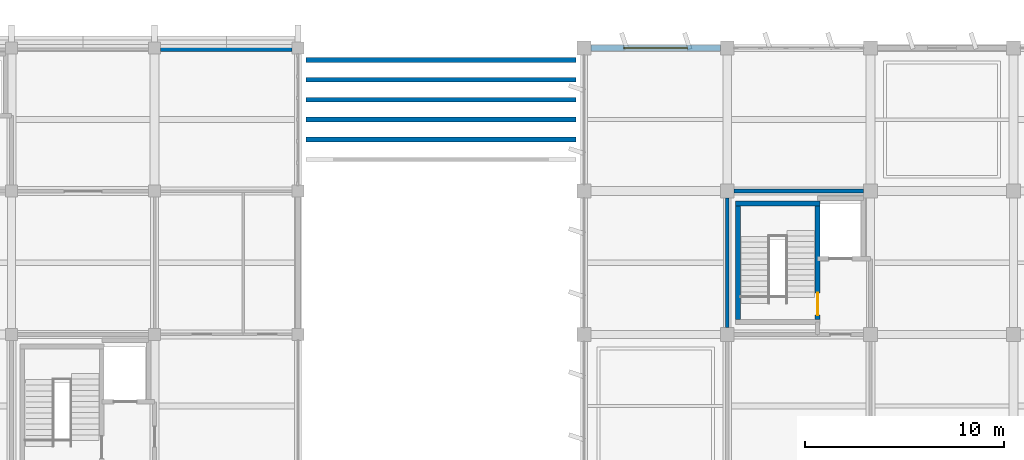
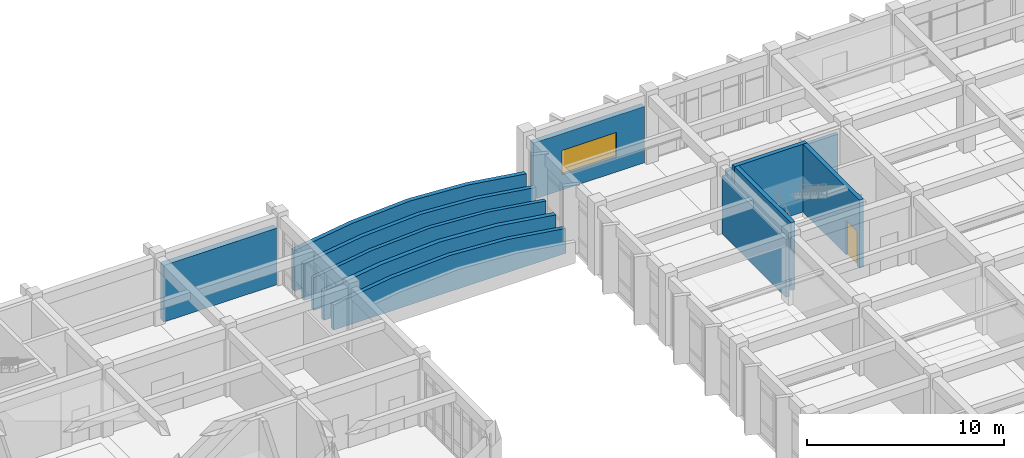
# One storey, part 68 of 81: 12 walls, 1 door, 1 window, 2 openings.
"""IFC4 building model written with IfcOpenShell, lengths in metres."""

from ifc_helpers import new_model, si_unit, direction, frame, frame_2d, origin, place, context, subcontext, project, spatial, polyline, rectangle, outline, extrude, material, layer, layer_set, type_object, element, fill, save


model = new_model("IFC4")

# Units and contexts
model_context = context("Model", 3, precision=1e-05, world=origin(), true_north=direction((0.0, 1.0)))
body_context = subcontext(model_context, "Body", "Model", "MODEL_VIEW")
ifc_project = project(units=[si_unit("LENGTHUNIT", "METRE"), si_unit("AREAUNIT", "SQUARE_METRE"), si_unit("VOLUMEUNIT", "CUBIC_METRE"), si_unit("PLANEANGLEUNIT", "RADIAN"), si_unit("MASSUNIT", "GRAM", prefix="KILO")], contexts=[model_context])

# Site, building, storey
site_placement = place(None, origin())
site = spatial("IfcSite", under=ifc_project, at=site_placement, CompositionType="ELEMENT")
building_placement = place(site_placement, origin())
building = spatial("IfcBuilding", under=site, at=building_placement, Name="Kavelor Marine Aquarium", CompositionType="ELEMENT")
storey_placement = place(building_placement, frame((0.0, 0.0, 4.679931640625)))
storey = spatial("IfcBuildingStorey", under=building, at=storey_placement, Name="L01", CompositionType="ELEMENT", Elevation=4.679931640625)

# Walls
ifc_material_1 = material(Name="Concrete C45/55", Category="concrete")
ifc_layer_1 = layer(ifc_material_1, 0.25)
ifc_layer_set_1 = layer_set([ifc_layer_1], Name="WL-BD1")
wall_type_1 = type_object("IfcWallType", Name="WL-BD1", PredefinedType="PARAPET", material=ifc_layer_set_1)
wall_1_placement = place(storey_placement, frame((104.39990234375, 110.199951171875, -0.300048828125), z_axis=(0.0, 0.0, 1.0), x_axis=(1.0, 0.0, 0.0)))
element("IfcWall", 1, at=wall_1_placement, inside=storey, type_object=wall_type_1, Name="portal:arch:north:1", PredefinedType="PARAPET", context=body_context, shape_type="SweptSolid", body=[
    extrude(outline(polyline([(0.0, 0.0), (13.60009765625, 0.0), (13.60009765625, 2.5), (10.199951171875, 3.0), (6.800048828125, 3.2001953125), (3.39990234375, 3.0), (0.0, 2.5), (0.0, 0.0)])), frame((0.0, 0.125, 0.0), z_axis=(0.0, -1.0, 0.0), x_axis=(1.0, 0.0, 0.0)), (0.0, 0.0, 1.0), 0.25),
])
wall_2_placement = place(storey_placement, frame((104.39990234375, 107.199951171875, -0.300048828125), z_axis=(0.0, 0.0, 1.0), x_axis=(1.0, 0.0, 0.0)))
element("IfcWall", 2, at=wall_2_placement, inside=storey, type_object=wall_type_1, Name="portal:arch:north:4", PredefinedType="PARAPET", context=body_context, shape_type="SweptSolid", body=[
    extrude(outline(polyline([(0.0, 0.0), (13.60009765625, 0.0), (13.60009765625, 1.780029296875), (10.199951171875, 2.280029296875), (6.800048828125, 2.480224609375), (3.39990234375, 2.280029296875), (0.0, 1.780029296875), (0.0, 0.0)])), frame((0.0, 0.125, 0.0), z_axis=(0.0, -1.0, 0.0), x_axis=(1.0, 0.0, 0.0)), (0.0, 0.0, 1.0), 0.25),
])
ifc_material_2 = material(Name="Concrete C45/55", Category="concrete")
ifc_layer_2 = layer(ifc_material_2, 0.22998046875)
ifc_layer_set_2 = layer_set([ifc_layer_2], Name="WL-BD2")
wall_type_2 = type_object("IfcWallType", Name="WL-BD2", PredefinedType="PARAPET", material=ifc_layer_set_2)
wall_3_placement = place(storey_placement, frame((104.39990234375, 109.199951171875, -0.300048828125), z_axis=(0.0, 0.0, 1.0), x_axis=(1.0, 0.0, 0.0)))
element("IfcWall", 3, at=wall_3_placement, inside=storey, type_object=wall_type_2, Name="portal:arch:north:2", PredefinedType="PARAPET", context=body_context, shape_type="SweptSolid", body=[
    extrude(outline(polyline([(0.0, 0.0), (13.60009765625, 0.0), (13.60009765625, 2.260009765625), (10.199951171875, 2.760009765625), (6.800048828125, 2.960205078125), (3.39990234375, 2.760009765625), (0.0, 2.260009765625), (0.0, 0.0)])), frame((0.0, 0.114990234375, 0.0), z_axis=(0.0, -1.0, 0.0), x_axis=(1.0, 0.0, 0.0)), (0.0, 0.0, 1.0), 0.22998046875),
])
wall_4_placement = place(storey_placement, frame((104.39990234375, 106.199951171875, -0.300048828125), z_axis=(0.0, 0.0, 1.0), x_axis=(1.0, 0.0, 0.0)))
element("IfcWall", 4, at=wall_4_placement, inside=storey, type_object=wall_type_2, Name="portal:arch:north:5", PredefinedType="PARAPET", context=body_context, shape_type="SweptSolid", body=[
    extrude(outline(polyline([(0.0, 0.0), (13.60009765625, 0.0), (13.60009765625, 1.5400390625), (10.199951171875, 2.0400390625), (6.800048828125, 2.240234375), (3.39990234375, 2.0400390625), (0.0, 1.5400390625), (0.0, 0.0)])), frame((0.0, 0.114990234375, 0.0), z_axis=(0.0, -1.0, 0.0), x_axis=(1.0, 0.0, 0.0)), (0.0, 0.0, 1.0), 0.22998046875),
])
ifc_material_3 = material(Name="Concrete C45/55", Category="concrete")
ifc_layer_3 = layer(ifc_material_3, 0.2099609375)
ifc_layer_set_3 = layer_set([ifc_layer_3], Name="WL-BD3")
wall_type_3 = type_object("IfcWallType", Name="WL-BD3", PredefinedType="PARAPET", material=ifc_layer_set_3)
wall_5_placement = place(storey_placement, frame((104.39990234375, 108.199951171875, -0.300048828125), z_axis=(0.0, 0.0, 1.0), x_axis=(1.0, 0.0, 0.0)))
element("IfcWall", 5, at=wall_5_placement, inside=storey, type_object=wall_type_3, Name="portal:arch:north:3", PredefinedType="PARAPET", context=body_context, shape_type="SweptSolid", body=[
    extrude(outline(polyline([(0.0, 0.0), (13.60009765625, 0.0), (13.60009765625, 2.02001953125), (10.199951171875, 2.52001953125), (6.800048828125, 2.72021484375), (3.39990234375, 2.52001953125), (0.0, 2.02001953125), (0.0, 0.0)])), frame((0.0, 0.10498046875, 0.0), z_axis=(0.0, -1.0, 0.0), x_axis=(1.0, 0.0, 0.0)), (0.0, 0.0, 1.0), 0.2099609375),
])

# Wall, opening, window
ifc_material_4 = material(Name="Concrete C40/50", Category="concrete")
ifc_layer_4 = layer(ifc_material_4, 0.300048828125)
ifc_layer_set_4 = layer_set([ifc_layer_4], Name="WL-EX3")
wall_type_4 = type_object("IfcWallType", Name="WL-EX3", PredefinedType="STANDARD", material=ifc_layer_set_4)
wall_6_placement = place(storey_placement, frame((118.7451171875, 110.800048828125, 0.0), z_axis=(0.0, 0.0, 1.0), x_axis=(1.0, 0.0, 0.0)))
wall_6 = element("IfcWall", 6, at=wall_6_placement, inside=storey, type_object=wall_type_4, Name="ew:x:L01:16_15", PredefinedType="STANDARD", context=body_context, shape_type="SweptSolid", body=[
    extrude(rectangle(XDim=6.509765625, YDim=0.300048828125, at=frame_2d((3.2548828125, 0.0))), origin(), (0.0, 0.0, 1.0), 3.489990234375),
])
opening_1_placement = place(wall_6_placement, frame((1.655029296875, 0.0, 0.949951171875)))
opening_1 = element("IfcOpeningElement", 7, at=opening_1_placement, cuts=wall_6, Name="Opening W35", PredefinedType="OPENING", context=body_context, shape_type="SweptSolid", body=[
    extrude(rectangle(XDim=3.199951171875, YDim=1.5, at=frame_2d((1.60009765625, 0.75))), frame((0.0, 0.159912109375, 0.0), z_axis=(0.0, -1.0, 0.0), x_axis=(1.0, 0.0, 0.0)), (0.0, 0.0, 1.0), 0.320049),
])
ifc_material_5 = material(Name="Anodised Aluminium Frame with Low-E Double Glazing", Category="aluminium")
window_type = type_object("IfcWindowType", Name="WIN-W35", PartitioningType="DOUBLE_PANEL_VERTICAL", PredefinedType="WINDOW", material=ifc_material_5)
window_placement = place(opening_1_placement, origin())
window = element("IfcWindow", 8, at=window_placement, inside=storey, type_object=window_type, Name="win:x:L01:16_15", OverallHeight=1.5, OverallWidth=3.199951171875, PartitioningType="SINGLE_PANEL", PredefinedType="WINDOW", context=body_context, shape_type="SweptSolid", body=[
    extrude(rectangle(XDim=3.199951171875, YDim=1.5, at=frame_2d((1.60009765625, 0.75))), frame((0.0, 0.030029296875, 0.0), z_axis=(0.0, -1.0, 0.0), x_axis=(1.0, 0.0, 0.0)), (0.0, 0.0, 1.0), 0.06005859375),
])
fill(opening_1, window)

# Walls
ifc_material_6 = material(Name="Concrete C45/55", Category="concrete")
ifc_layer_5 = layer(ifc_material_6, 0.340087890625)
ifc_layer_set_5 = layer_set([ifc_layer_5], Name="WL-EX6")
wall_type_5 = type_object("IfcWallType", Name="WL-EX6", PredefinedType="STANDARD", material=ifc_layer_set_5)
wall_7_placement = place(storey_placement, frame((97.094970703125, 110.800048828125, 0.0), z_axis=(0.0, 0.0, 1.0), x_axis=(1.0, 0.0, 0.0)))
element("IfcWall", 9, at=wall_7_placement, inside=storey, type_object=wall_type_5, Name="ew:x:L01:13_15", PredefinedType="STANDARD", context=body_context, shape_type="SweptSolid", body=[
    extrude(rectangle(XDim=6.610107421875, YDim=0.340087890625, at=frame_2d((3.30517578125, 0.0))), origin(), (0.0, 0.0, 1.0), 3.510009765625),
])
ifc_material_7 = material(Name="Concrete Blockwork Partition", Category="masonry")
ifc_layer_6 = layer(ifc_material_7, 0.199951171875)
ifc_layer_set_6 = layer_set([ifc_layer_6], Name="WL-PT1")
wall_type_6 = type_object("IfcWallType", Name="WL-PT1", PredefinedType="PARTITIONING", material=ifc_layer_set_6)
for number, where, z_axis, x_axis, name in (
    (10, (125.60009765625, 96.75, 0.0), (0.0, 0.0, 1.0), (0.0, 1.0, 0.0), "pt:lob:C10:L01:w"),
    (11, (125.949951171875, 103.60009765625, 0.0), (0.0, 0.0, 1.0), (1.0, 0.0, 0.0), "pt:lob:C10:L01:n_full"),
):
    element("IfcWall", number, at=place(storey_placement, frame(where, z_axis=z_axis, x_axis=x_axis)), inside=storey, type_object=wall_type_6, Name=name, PredefinedType="PARTITIONING", context=body_context, shape_type="SweptSolid", body=[
        extrude(rectangle(XDim=6.5, YDim=0.199951171875, at=frame_2d((3.25, 0.0))), origin(), (0.0, 0.0, 1.0), 3.590087890625),
    ])
ifc_material_8 = material(Name="Concrete C40/50", Category="concrete")
ifc_layer_7 = layer(ifc_material_8, 0.35009765625)
ifc_layer_set_7 = layer_set([ifc_layer_7], Name="WL-SW2")
wall_type_7 = type_object("IfcWallType", Name="WL-SW2", PredefinedType="SHEAR", material=ifc_layer_set_7)
wall_8_placement = place(storey_placement, frame((126.02001953125, 102.97998046875, 0.0), z_axis=(0.0, 0.0, 1.0), x_axis=(1.0, 0.0, 0.0)))
element("IfcWall", 12, at=wall_8_placement, inside=storey, type_object=wall_type_7, Name="cw_st:n:C10:L01", PredefinedType="SHEAR", context=body_context, shape_type="SweptSolid", body=[
    extrude(rectangle(XDim=4.239990234375, YDim=0.239990234375, at=frame_2d((2.1201171875, 0.0))), origin(), (0.0, 0.0, 1.0), 4.199951171875),
])
wall_9_placement = place(storey_placement, frame((126.139892578125, 97.139892578125, 0.0), z_axis=(0.0, 0.0, 1.0), x_axis=(0.0, 1.0, 0.0)))
element("IfcWall", 13, at=wall_9_placement, inside=storey, type_object=wall_type_7, Name="cw_st:w:C10:L01", PredefinedType="SHEAR", context=body_context, shape_type="SweptSolid", body=[
    extrude(rectangle(XDim=5.72021484375, YDim=0.239990234375, at=frame_2d((2.860107421875, 0.0))), origin(), (0.0, 0.0, 1.0), 4.199951171875),
])

# Wall, opening, door
wall_10_placement = place(storey_placement, frame((130.139892578125, 97.139892578125, 0.0), z_axis=(0.0, 0.0, 1.0), x_axis=(0.0, 1.0, 0.0)))
wall_10 = element("IfcWall", 14, at=wall_10_placement, inside=storey, type_object=wall_type_7, Name="cw_st:e:C10:L01", PredefinedType="SHEAR", context=body_context, shape_type="SweptSolid", body=[
    extrude(rectangle(XDim=5.72021484375, YDim=0.239990234375, at=frame_2d((2.860107421875, 0.0))), origin(), (0.0, 0.0, 1.0), 4.199951171875),
])
opening_2_placement = place(wall_10_placement, frame((0.219970703125, 0.0, 0.0)))
opening_2 = element("IfcOpeningElement", 15, at=opening_2_placement, cuts=wall_10, Name="Opening FD1", PredefinedType="OPENING", context=body_context, shape_type="SweptSolid", body=[
    extrude(rectangle(XDim=1.1201171875, YDim=2.14990234375, at=frame_2d((0.56005859375, 1.074951171875))), frame((0.0, 0.1298828125, 0.0), z_axis=(0.0, -1.0, 0.0), x_axis=(1.0, 0.0, 0.0)), (0.0, 0.0, 1.0), 0.25999),
])
ifc_material_9 = material(Name="Fire-Rated Steel Stair and Core Door", Category="steel")
door_type = type_object("IfcDoorType", Name="DR-FD1", OperationType="NOTDEFINED", PredefinedType="DOOR", material=ifc_material_9)
door_placement = place(opening_2_placement, origin())
door = element("IfcDoor", 16, at=door_placement, inside=storey, type_object=door_type, Name="Stair Fire Door ST10-L01", OperationType="SINGLE_SWING_LEFT", OverallHeight=2.14990234375, OverallWidth=1.1201171875, PredefinedType="DOOR", context=body_context, shape_type="SweptSolid", body=[
    extrude(rectangle(XDim=1.1201171875, YDim=2.14990234375, at=frame_2d((0.56005859375, 1.074951171875))), frame((0.0, 0.02490234375, 0.0), z_axis=(0.0, -1.0, 0.0), x_axis=(1.0, 0.0, 0.0)), (0.0, 0.0, 1.0), 0.050048828125),
])
fill(opening_2, door)

save(model, "model.ifc")
